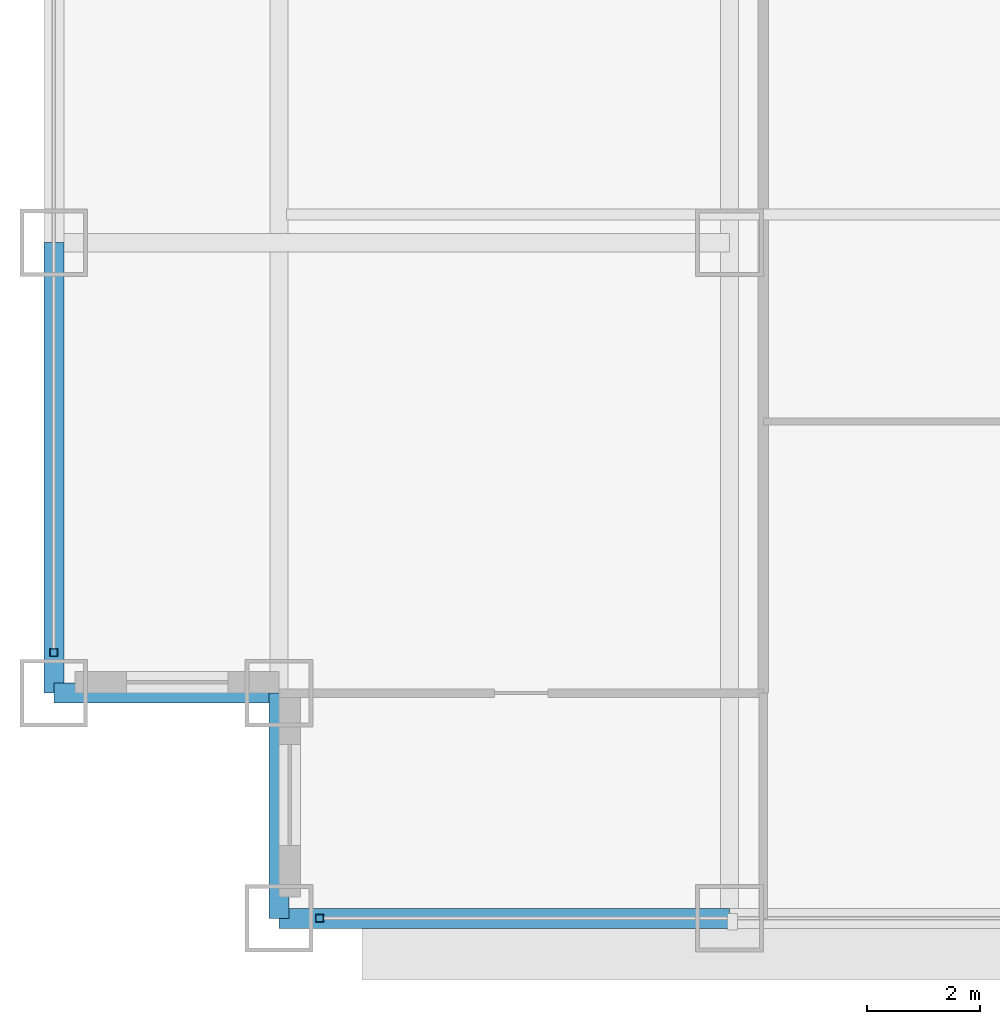
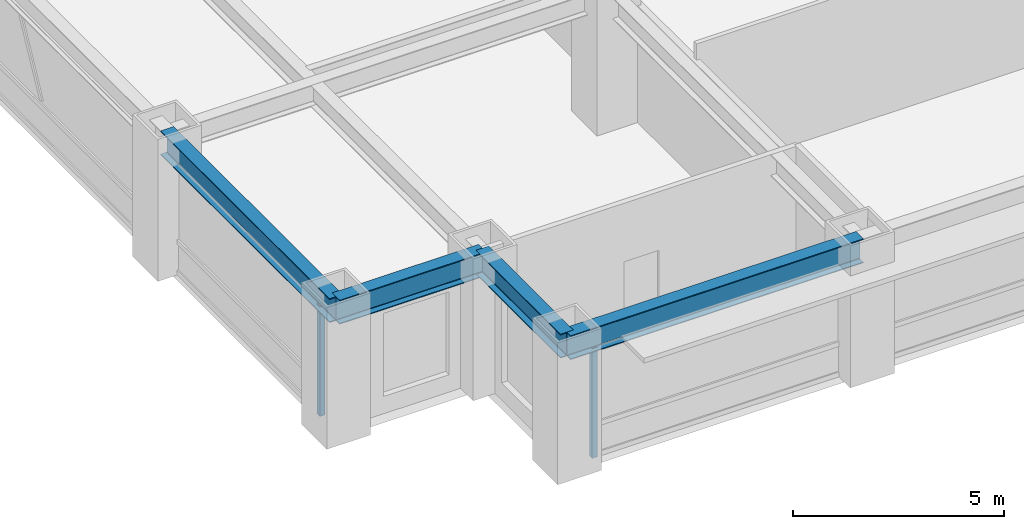
# One storey, part 2 of 32: 4 beams, 2 members, 2 elements without a shape of their own.
"""IFC4 building model written with IfcOpenShell, lengths in metres."""

from ifc_helpers import new_model, si_unit, direction, frame, origin, origin_2d, place, context, subcontext, project, spatial, hollow_rectangle, i_section, extrude, source, transform, mapped, material, material_profile, profile_set, type_object, element, aggregate, save


model = new_model("IFC4")

# Units and contexts
model_context = context("Model", 3, precision=1e-05, world=origin(), true_north=direction((0.0, 1.0)))
body_context = subcontext(model_context, "Body", "Model", "MODEL_VIEW")
ifc_project = project(units=[si_unit("LENGTHUNIT", "METRE"), si_unit("AREAUNIT", "SQUARE_METRE"), si_unit("VOLUMEUNIT", "CUBIC_METRE"), si_unit("PLANEANGLEUNIT", "RADIAN"), si_unit("MASSUNIT", "GRAM", prefix="KILO")], contexts=[model_context])

# Site, building, storey
site_placement = place(None, origin())
site = spatial("IfcSite", under=ifc_project, at=site_placement, CompositionType="ELEMENT")
building_placement = place(site_placement, origin())
building = spatial("IfcBuilding", under=site, at=building_placement, Name="Khorayat Bourse Tower", CompositionType="ELEMENT")
storey_placement = place(building_placement, frame((0.0, 0.0, 95.5)))
storey = spatial("IfcBuildingStorey", under=building, at=storey_placement, Name="L21", CompositionType="ELEMENT", Elevation=95.5)

# Beams
ifc_material_1 = material(Name="Steel ASTM A992 Grade 50", Category="steel")
ifc_material_profile_1 = material_profile(ifc_material_1, i_section(OverallWidth=0.35498046875, OverallDepth=0.695068359375, WebThickness=0.015380859375, FlangeThickness=0.02490234375, FilletRadius=0.01806640625, at=origin_2d()), Name="W690X217")
ifc_profile_set_1 = profile_set([ifc_material_profile_1], Name="Steel ASTM A992 Grade 50")
beam_type = type_object("IfcBeamType", Name="BM-SPAN-690", PredefinedType="SPANDREL", material=ifc_profile_set_1)
shared_shape_1 = source(origin(), body_context, "Body", "SweptSolid", [
    extrude(i_section(OverallWidth=0.35498046875, OverallDepth=0.695068359375, WebThickness=0.015380859375, FlangeThickness=0.02490234375, FilletRadius=0.01806640625, at=origin_2d()), origin(), (0.0, 0.0, 1.0), 8.0),
])
for number, where, z_axis, x_axis, name in (
    (1, (-28.0, -32.0, 3.492431640625), (1.0, 0.0, 0.0), (0.0, 1.0, 0.0), "L21 BM-SPAN-690 BM-L21-SPN-024"),
    (2, (-32.0, -28.0, 3.492431640625), (0.0, 1.0, 0.0), (-1.0, 0.0, 0.0), "L21 BM-SPAN-690 BM-L21-SPN-061"),
):
    element("IfcBeam", number, at=place(storey_placement, frame(where, z_axis=z_axis, x_axis=x_axis)), inside=storey, type_object=beam_type, Name=name, PredefinedType="SPANDREL", context=body_context, shape_type="MappedRepresentation", body=[
        mapped(shared_shape_1, transform((0.0, 0.0, 0.0), scale=1.0)),
    ])
shared_shape_2 = source(origin(), body_context, "Body", "SweptSolid", [
    extrude(i_section(OverallWidth=0.35498046875, OverallDepth=0.695068359375, WebThickness=0.015380859375, FlangeThickness=0.02490234375, FilletRadius=0.01806640625, at=origin_2d()), origin(), (0.0, 0.0, 1.0), 4.0),
])
for number, where, z_axis, x_axis, name in (
    (3, (-32.0, -28.0, 3.492431640625), (1.0, 0.0, 0.0), (0.0, 1.0, 0.0), "L21 BM-SPAN-690 BM-L21-SPN-062"),
    (4, (-28.0, -32.0, 3.492431640625), (0.0, 1.0, 0.0), (-1.0, 0.0, 0.0), "L21 BM-SPAN-690 BM-L21-SPN-063"),
):
    element("IfcBeam", number, at=place(storey_placement, frame(where, z_axis=z_axis, x_axis=x_axis)), inside=storey, type_object=beam_type, Name=name, PredefinedType="SPANDREL", context=body_context, shape_type="MappedRepresentation", body=[
        mapped(shared_shape_2, transform((0.0, 0.0, 0.0), scale=1.0)),
    ])

# Curtain wall, member
ifc_material_2 = material(Name="Aluminium EN AW-6063 T6", Category="aluminium")
curtain_wall_type = type_object("IfcCurtainWallType", Name="CW-SYS-02", PredefinedType="NOTDEFINED", material=ifc_material_2)
curtain_wall_1_placement = place(storey_placement, origin())
curtain_wall_1 = element("IfcCurtainWall", 5, at=curtain_wall_1_placement, inside=storey, type_object=curtain_wall_type, Name="L21 Curtain Wall CW-L21-S1", PredefinedType="NOTDEFINED")
ifc_material_profile_2 = material_profile(ifc_material_2, hollow_rectangle(XDim=0.139892578125, YDim=0.139892578125, WallThickness=0.006103515625, at=origin_2d()), Name="ALU 140x140x6")
ifc_profile_set_2 = profile_set([ifc_material_profile_2], Name="Aluminium EN AW-6063 T6")
member_type = type_object("IfcMemberType", Name="CWM-VERT-140", PredefinedType="MULLION", material=ifc_profile_set_2)
shared_shape_3 = source(origin(), body_context, "Body", "SweptSolid", [
    extrude(hollow_rectangle(XDim=0.139892578125, YDim=0.139892578125, WallThickness=0.006103515625, at=origin_2d()), origin(), (0.0, 0.0, 1.0), 3.18994140625),
])
member_1_placement = place(storey_placement, frame((-27.280029296875, -32.0, 0.0), z_axis=(0.0, 0.0, 1.0), x_axis=(0.0, 1.0, 0.0)))
member_1 = element("IfcMember", 6, at=member_1_placement, type_object=member_type, Name="CW-L21-S1 Vertical Mullion 1", PredefinedType="MULLION", context=body_context, shape_type="MappedRepresentation", body=[
    mapped(shared_shape_3, transform((0.0, 0.0, 0.0), scale=1.0)),
])
aggregate(curtain_wall_1, [member_1])

curtain_wall_2_placement = place(storey_placement, origin())
curtain_wall_2 = element("IfcCurtainWall", 7, at=curtain_wall_2_placement, inside=storey, type_object=curtain_wall_type, Name="L21 Curtain Wall CW-L21-W1", PredefinedType="NOTDEFINED")
member_2_placement = place(storey_placement, frame((-32.0, -27.280029296875, 0.0), z_axis=(0.0, 0.0, 1.0), x_axis=(-1.0, 0.0, 0.0)))
member_2 = element("IfcMember", 8, at=member_2_placement, type_object=member_type, Name="CW-L21-W1 Vertical Mullion 1", PredefinedType="MULLION", context=body_context, shape_type="MappedRepresentation", body=[
    mapped(shared_shape_3, transform((0.0, 0.0, 0.0), scale=1.0)),
])
aggregate(curtain_wall_2, [member_2])

save(model, "model.ifc")
